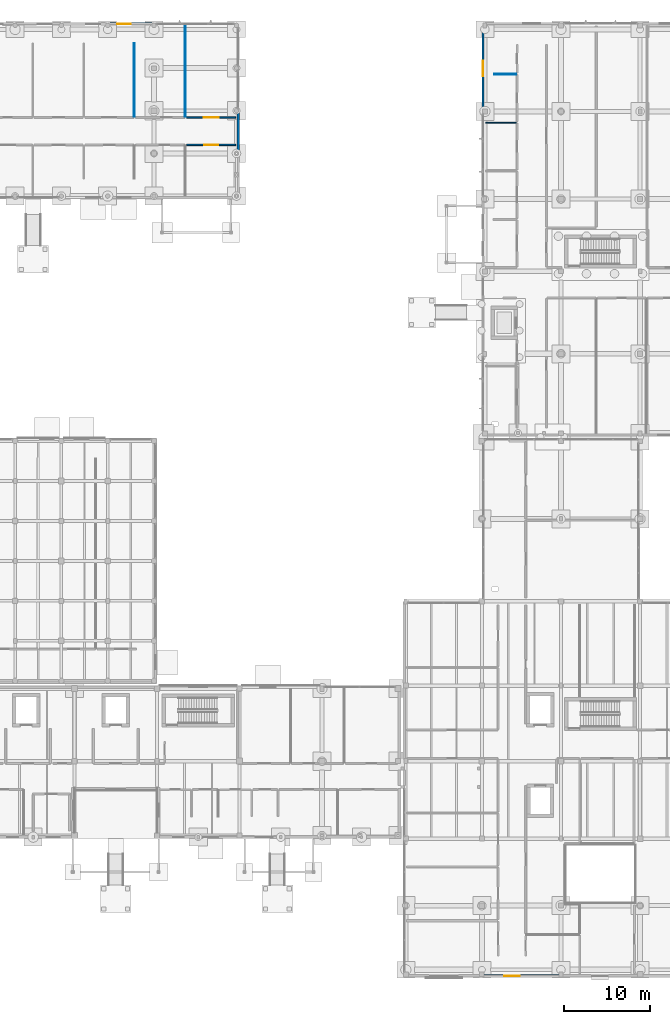
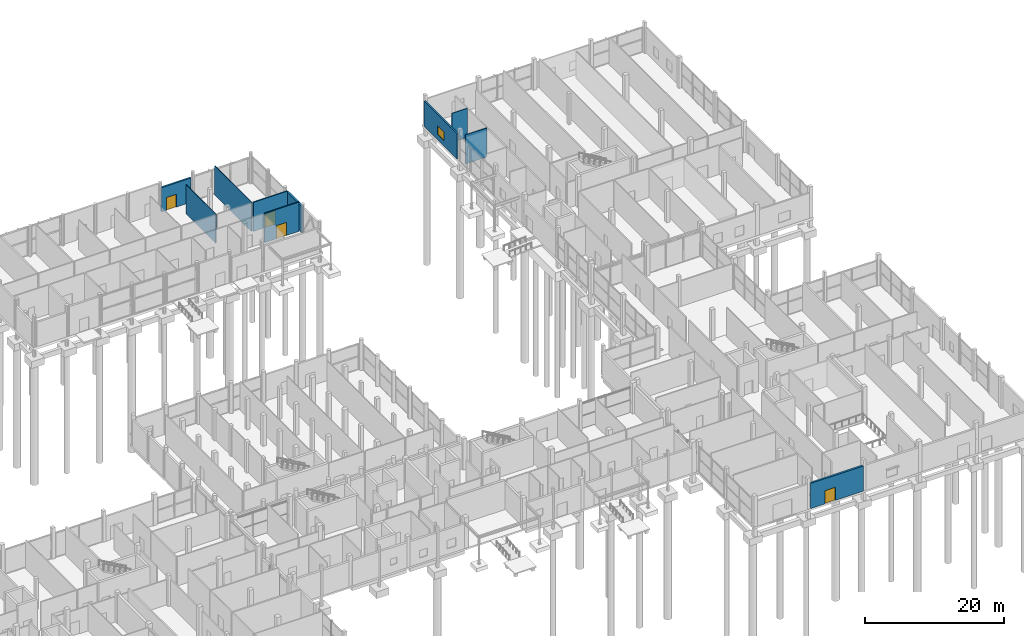
# One storey, part 66 of 88: 10 walls, 4 doors, 1 window, 5 openings.
"""IFC4 building model written with IfcOpenShell, lengths in metres."""

import ifcopenshell
import ifcopenshell.guid

model = None  # the IFC model being written
_history = None  # IfcOwnerHistory: only IFC2X3 demands one
_inside = {}  # id of a spatial element -> (the spatial element, [elements in it])
_under = {}  # id of a project, library or spatial element -> (it, [spatial elements below it])
_declared = {}  # id of a project -> (the project, [libraries it declares])
_typed = {}  # id of a type object -> (the type object, [elements of that type])
_made_of = {}  # id of a material, layer set ... -> (it, [elements and type objects made of it])


def new_model(schema):
    """Start an empty IFC model of exactly this schema.

    Asked for "IFC4X3", IfcOpenShell would pick the latest addendum, in which some entities
    have other attributes; the version numbers below select the first issue.
    IFC2X3 requires an IfcOwnerHistory on every rooted entity: one is made here for all.
    """
    global model, _history
    if schema == "IFC4X3":
        model = ifcopenshell.file(schema_version=(4, 3, 0, 0))
    else:
        model = ifcopenshell.file(schema=schema)
    _inside.clear()
    _under.clear()
    _declared.clear()
    _typed.clear()
    _made_of.clear()
    _history = None
    if model.schema == "IFC2X3":
        org = make("IfcOrganization", Name="unknown")
        user = make(
            "IfcPersonAndOrganization",
            ThePerson=make("IfcPerson", FamilyName="unknown"),
            TheOrganization=org,
        )
        app = make(
            "IfcApplication",
            ApplicationDeveloper=org,
            Version="unknown",
            ApplicationFullName="unknown",
            ApplicationIdentifier="unknown",
        )
        _history = make(
            "IfcOwnerHistory",
            OwningUser=user,
            OwningApplication=app,
            ChangeAction="ADDED",
            CreationDate=0,
        )
    return model


def make(cls, **values):
    """One entity of the class cls with the attributes given. An attribute that is None is left unset."""
    return model.create_entity(
        cls, **{name: value for name, value in values.items() if value is not None}
    )


def rooted(cls, **values):
    """An entity with a GlobalId (a new one), such as an element, a storey or a relation."""
    return make(cls, GlobalId=ifcopenshell.guid.new(), OwnerHistory=_history, **values)


def si_unit(unit_type, name, prefix=None):
    """IfcSIUnit, for example si_unit("LENGTHUNIT", "METRE", prefix="MILLI")."""
    return make("IfcSIUnit", UnitType=unit_type, Prefix=prefix, Name=name)


def assignment(units):
    """IfcUnitAssignment: the units of a project."""
    return None if units is None else make("IfcUnitAssignment", Units=units)


def point(xyz):
    """IfcCartesianPoint."""
    return None if xyz is None else make("IfcCartesianPoint", Coordinates=xyz)


def direction(xyz):
    """IfcDirection."""
    return None if xyz is None else make("IfcDirection", DirectionRatios=xyz)


def frame(location, z_axis=None, x_axis=None):
    """IfcAxis2Placement3D, a coordinate frame: its origin and axes. An axis left out is left unset."""
    return make(
        "IfcAxis2Placement3D",
        Location=point(location),
        Axis=direction(z_axis),
        RefDirection=direction(x_axis),
    )


def frame_2d(location, x_axis=None):
    """IfcAxis2Placement2D, a coordinate frame in the plane: its origin and x axis."""
    return make(
        "IfcAxis2Placement2D", Location=point(location), RefDirection=direction(x_axis)
    )


def origin():
    """The frame at (0, 0, 0) with its axes left unset."""
    return frame((0.0, 0.0, 0.0))


def place(relative_to, where):
    """IfcLocalPlacement: puts the frame where relative to a parent placement (None: the world)."""
    return make(
        "IfcLocalPlacement", PlacementRelTo=relative_to, RelativePlacement=where
    )


def context(
    kind, dimensions, precision=None, world=None, true_north=None, identifier=None
):
    """IfcGeometricRepresentationContext, for example the 3D "Model" context."""
    return make(
        "IfcGeometricRepresentationContext",
        ContextIdentifier=identifier,
        ContextType=kind,
        CoordinateSpaceDimension=dimensions,
        Precision=precision,
        WorldCoordinateSystem=world,
        TrueNorth=true_north,
    )


def subcontext(parent, identifier, kind, view, scale=None):
    """IfcGeometricRepresentationSubContext, for example "Body" below "Model"."""
    return make(
        "IfcGeometricRepresentationSubContext",
        ContextIdentifier=identifier,
        ContextType=kind,
        ParentContext=parent,
        TargetScale=scale,
        TargetView=view,
    )


def project(units=None, contexts=None):
    """IfcProject with its units and contexts."""
    return rooted(
        "IfcProject",
        Name="project",
        RepresentationContexts=contexts,
        UnitsInContext=assignment(units),
    )


def spatial(cls, under=None, at=None, **own):
    """A site, building, storey or space (cls), placed at a placement, below another one or the project."""
    s = rooted(cls, ObjectPlacement=at, **own)
    if under is not None:
        _under.setdefault(under.id(), (under, []))[1].append(s)
    return s


def profile(cls, at=None, kind="AREA", **sizes):
    """A parametric profile (cls). Its sizes go by their IFC names, for example OverallWidth=200.0."""
    return make(cls, ProfileType=kind, Position=at, **sizes)


def rectangle(**sizes):
    """IfcRectangleProfileDef."""
    return profile("IfcRectangleProfileDef", **sizes)


def extrude(swept, where, along, depth):
    """IfcExtrudedAreaSolid: the profile swept, set in the frame where, extruded along a direction by depth."""
    return make(
        "IfcExtrudedAreaSolid",
        SweptArea=swept,
        Position=where,
        ExtrudedDirection=direction(along),
        Depth=depth,
    )


def shape(context_of_items, identifier, shape_type, items):
    """IfcShapeRepresentation: the items that make up one representation, for example the "Body"."""
    return make(
        "IfcShapeRepresentation",
        ContextOfItems=context_of_items,
        RepresentationIdentifier=identifier,
        RepresentationType=shape_type,
        Items=items,
    )


def material(Name=None, Category=None):
    """IfcMaterial."""
    return make("IfcMaterial", Name=Name, Category=Category)


def layer(
    of_material, thickness, ventilated=None, Name=None, Category=None, Priority=None
):
    """IfcMaterialLayer: one layer of a wall or slab, of a material (None: an air gap)."""
    return make(
        "IfcMaterialLayer",
        Material=of_material,
        LayerThickness=thickness,
        IsVentilated=ventilated,
        Name=Name,
        Category=Category,
        Priority=Priority,
    )


def layer_set(layers, Name=None):
    """IfcMaterialLayerSet."""
    return make("IfcMaterialLayerSet", MaterialLayers=layers, LayerSetName=Name)


def made_of(thing, what):
    """Note that an element or type object is made of a material, layer set ...; save() writes the relation."""
    if what is not None:
        _made_of.setdefault(what.id(), (what, []))[1].append(thing)
    return thing


def type_object(cls, material=None, **own):
    """A type object (cls), such as IfcWallType, which elements share."""
    return made_of(rooted(cls, **own), material)


def element(
    cls,
    number,
    at=None,
    inside=None,
    cuts=None,
    type_object=None,
    material=None,
    context=None,
    identifier="Body",
    shape_type=None,
    held_by="IfcProductDefinitionShape",
    body=None,
    shapes=None,
    **own,
):
    """One element of the class cls, such as IfcWall. Its Tag is "e" and its number.

    at: its placement. inside: the storey or other place that contains it. cuts: it is an
    opening in that element (IfcRelVoidsElement). A single representation is given by context,
    identifier, shape_type and body (its items); several are given by shapes. held_by: the class
    of the entity that holds the representations. save() writes the other relations.
    """
    e = rooted(cls, Tag="e%d" % number, ObjectPlacement=at, **own)
    if body is not None:
        shapes = [shape(context, identifier, shape_type, body)]
    if shapes is not None:
        e.Representation = make(held_by, Representations=shapes)
    if inside is not None:
        _inside.setdefault(inside.id(), (inside, []))[1].append(e)
    if cuts is not None:
        rooted(
            "IfcRelVoidsElement", RelatingBuildingElement=cuts, RelatedOpeningElement=e
        )
    if type_object is not None:
        _typed.setdefault(type_object.id(), (type_object, []))[1].append(e)
    return made_of(e, material)


def fill(opening, filler):
    """IfcRelFillsElement: the door or window that sits in an opening."""
    return rooted(
        "IfcRelFillsElement",
        RelatingOpeningElement=opening,
        RelatedBuildingElement=filler,
    )


def aggregate(whole, parts):
    """IfcRelAggregates: a whole, such as a stair, and the parts it consists of."""
    return rooted("IfcRelAggregates", RelatingObject=whole, RelatedObjects=parts)


def save(model, path):
    """Write the relations noted so far, then the file.

    IfcRelAggregates (storeys below a building ...), IfcRelContainedInSpatialStructure (elements
    in a storey), IfcRelDefinesByType, IfcRelAssociatesMaterial and IfcRelDeclares: one each for
    every whole, place, type object, material and project.
    """
    for whole, parts in _under.values():
        aggregate(whole, parts)
    for where, things in _inside.values():
        rooted(
            "IfcRelContainedInSpatialStructure",
            RelatedElements=things,
            RelatingStructure=where,
        )
    for kind, things in _typed.values():
        rooted("IfcRelDefinesByType", RelatedObjects=things, RelatingType=kind)
    for what, things in _made_of.values():
        rooted("IfcRelAssociatesMaterial", RelatedObjects=things, RelatingMaterial=what)
    for by, libraries in _declared.values():
        rooted("IfcRelDeclares", RelatingContext=by, RelatedDefinitions=libraries)
    model.write(path)


model = new_model("IFC4")

# Units and contexts
model_context = context("Model", 3, precision=1e-05, world=origin(), true_north=direction((0.0, 1.0)))
body_context = subcontext(model_context, "Body", "Model", "MODEL_VIEW")
ifc_project = project(units=[si_unit("LENGTHUNIT", "METRE"), si_unit("AREAUNIT", "SQUARE_METRE"), si_unit("VOLUMEUNIT", "CUBIC_METRE"), si_unit("PLANEANGLEUNIT", "RADIAN"), si_unit("MASSUNIT", "GRAM", prefix="KILO")], contexts=[model_context])

# Site, building, storey
site_placement = place(None, origin())
site = spatial("IfcSite", under=ifc_project, at=site_placement, CompositionType="ELEMENT")
building_placement = place(site_placement, origin())
building = spatial("IfcBuilding", under=site, at=building_placement, Name="Birchvale Park Specialist Clinic", CompositionType="ELEMENT")
storey_placement = place(building_placement, origin())
storey = spatial("IfcBuildingStorey", under=building, at=storey_placement, Name="L00", CompositionType="ELEMENT", Elevation=0.0)

# Wall, opening, door
ifc_material_1 = material(Name="Lime-white mineral-rendered insulated masonry", Category="masonry")
ifc_layer_1 = layer(ifc_material_1, 0.31005859375)
ifc_layer_set_1 = layer_set([ifc_layer_1], Name="Lime-white mineral-rendered insulated masonry")
wall_type_1 = type_object("IfcWallType", Name="WL-EW-02", PredefinedType="STANDARD", material=ifc_layer_set_1)
wall_1_placement = place(storey_placement, frame((128.260009765625, 0.824951171875, 0.0), z_axis=(0.0, 0.0, 1.0), x_axis=(1.0, 0.0, 0.0)))
wall_1 = element("IfcWall", 1, at=wall_1_placement, inside=storey, type_object=wall_type_1, Name="V5 L00 exterior facade wall 90", PredefinedType="STANDARD", context=body_context, shape_type="SweptSolid", body=[
    extrude(rectangle(XDim=8.735107421875, YDim=0.31005859375, at=frame_2d((4.36767578125, 0.0))), origin(), (0.0, 0.0, 1.0), 4.419921875),
])
opening_1_placement = place(wall_1_placement, frame((2.340087890625, 0.0, 0.0)))
opening_1 = element("IfcOpeningElement", 2, at=opening_1_placement, cuts=wall_1, Name="Opening ED-03", PredefinedType="OPENING", context=body_context, shape_type="SweptSolid", body=[
    extrude(rectangle(XDim=1.800048828125, YDim=2.300048828125, at=frame_2d((0.89990234375, 1.14990234375))), frame((0.0, 0.1650390625, 0.0), z_axis=(0.0, -1.0, 0.0), x_axis=(1.0, 0.0, 0.0)), (0.0, 0.0, 1.0), 0.330078125),
])
ifc_material_2 = material(Name="Powder-coated aluminium and laminated safety glass", Category="aluminium")
door_type_1 = type_object("IfcDoorType", Name="DR-ED-03", OperationType="DOUBLE_DOOR_SINGLE_SWING", PredefinedType="DOOR", material=ifc_material_2)
door_1_placement = place(opening_1_placement, frame((1.800048828125, 0.0, 0.0), z_axis=(0.0, 0.0, 1.0), x_axis=(-1.0, 0.0, 0.0)))
door_1 = element("IfcDoor", 3, at=door_1_placement, inside=storey, type_object=door_type_1, Name="L00 V5 final exit double door 26", OperationType="DOUBLE_DOOR_SINGLE_SWING", OverallHeight=2.300048828125, OverallWidth=1.800048828125, PredefinedType="DOOR", context=body_context, shape_type="SweptSolid", body=[
    extrude(rectangle(XDim=1.800048828125, YDim=2.300048828125, at=frame_2d((0.89990234375, 1.14990234375))), frame((0.0, 0.02490234375, 0.0), z_axis=(0.0, -1.0, 0.0), x_axis=(1.0, 0.0, 0.0)), (0.0, 0.0, 1.0), 0.050048828125),
])
fill(opening_1, door_1)

# Wall
ifc_layer_2 = layer(ifc_material_1, 0.2900390625)
ifc_layer_set_2 = layer_set([ifc_layer_2], Name="Lime-white mineral-rendered insulated masonry")
wall_type_2 = type_object("IfcWallType", Name="WL-EW-03", PredefinedType="STANDARD", material=ifc_layer_set_2)
wall_2_placement = place(storey_placement, frame((99.635009765625, 96.767578125, 0.0), z_axis=(0.0, 0.0, 1.0), x_axis=(0.0, 1.0, 0.0)))
element("IfcWall", 4, at=wall_2_placement, inside=storey, type_object=wall_type_2, Name="V3 L00 exterior facade wall 56", PredefinedType="STANDARD", context=body_context, shape_type="SweptSolid", body=[
    extrude(rectangle(XDim=4.452392578125, YDim=0.2900390625, at=frame_2d((2.22607421875, 0.0))), origin(), (0.0, 0.0, 1.0), 4.669921875),
])

# Wall, opening, door
wall_3_placement = place(storey_placement, frame((89.594970703125, 111.5849609375, 0.0), z_axis=(0.0, 0.0, 1.0), x_axis=(-1.0, 0.0, 0.0)))
wall_3 = element("IfcWall", 5, at=wall_3_placement, inside=storey, type_object=wall_type_2, Name="V3 L00 exterior facade wall 57", PredefinedType="STANDARD", context=body_context, shape_type="SweptSolid", body=[
    extrude(rectangle(XDim=4.875732421875, YDim=0.2900390625, at=frame_2d((2.43798828125, 0.0))), origin(), (0.0, 0.0, 1.0), 4.264892578125),
])
opening_2_placement = place(wall_3_placement, frame((2.44287109375, 0.0, 0.0)))
opening_2 = element("IfcOpeningElement", 6, at=opening_2_placement, cuts=wall_3, Name="Opening ED-04", PredefinedType="OPENING", context=body_context, shape_type="SweptSolid", body=[
    extrude(rectangle(XDim=1.60009765625, YDim=2.25, at=frame_2d((0.800048828125, 1.125))), frame((0.0, 0.155029296875, 0.0), z_axis=(0.0, -1.0, 0.0), x_axis=(1.0, 0.0, 0.0)), (0.0, 0.0, 1.0), 0.31005859375),
])
door_type_2 = type_object("IfcDoorType", Name="DR-ED-04", OperationType="DOUBLE_DOOR_SINGLE_SWING", PredefinedType="DOOR", material=ifc_material_2)
door_2_placement = place(opening_2_placement, frame((1.60009765625, 0.0, 0.0), z_axis=(0.0, 0.0, 1.0), x_axis=(-1.0, 0.0, 0.0)))
door_2 = element("IfcDoor", 7, at=door_2_placement, inside=storey, type_object=door_type_2, Name="L00 V3 final exit double door 17", OperationType="DOUBLE_DOOR_SINGLE_SWING", OverallHeight=2.25, OverallWidth=1.60009765625, PredefinedType="DOOR", context=body_context, shape_type="SweptSolid", body=[
    extrude(rectangle(XDim=1.60009765625, YDim=2.25, at=frame_2d((0.800048828125, 1.125))), frame((0.0, 0.02490234375, 0.0), z_axis=(0.0, -1.0, 0.0), x_axis=(1.0, 0.0, 0.0)), (0.0, 0.0, 1.0), 0.050048828125),
])
fill(opening_2, door_2)

# Wall, opening, window
ifc_layer_3 = layer(ifc_material_1, 0.25)
ifc_layer_set_3 = layer_set([ifc_layer_3], Name="Lime-white mineral-rendered insulated masonry")
wall_type_3 = type_object("IfcWallType", Name="WL-EW-05", PredefinedType="STANDARD", material=ifc_layer_set_3)
wall_4_placement = place(storey_placement, frame((128.14501953125, 111.114990234375, 0.0), z_axis=(0.0, 0.0, 1.0), x_axis=(0.0, -1.0, 0.0)))
wall_4 = element("IfcWall", 8, at=wall_4_placement, inside=storey, type_object=wall_type_3, Name="V6 L00 exterior facade wall 111", PredefinedType="STANDARD", context=body_context, shape_type="SweptSolid", body=[
    extrude(rectangle(XDim=9.429931640625, YDim=0.25, at=frame_2d((4.71484375, 0.0))), origin(), (0.0, 0.0, 1.0), 4.469970703125),
])
opening_3_placement = place(wall_4_placement, frame((3.81494140625, 0.0, 0.949951171875)))
opening_3 = element("IfcOpeningElement", 9, at=opening_3_placement, cuts=wall_4, Name="Opening W-CL05", PredefinedType="OPENING", context=body_context, shape_type="SweptSolid", body=[
    extrude(rectangle(XDim=1.800048828125, YDim=1.5, at=frame_2d((0.89990234375, 0.75))), frame((0.0, 0.135009765625, 0.0), z_axis=(0.0, -1.0, 0.0), x_axis=(1.0, 0.0, 0.0)), (0.0, 0.0, 1.0), 0.27001953125),
])
ifc_material_3 = material(Name="Solar-control low-E double glazing", Category="glass")
window_type = type_object("IfcWindowType", Name="WIN-W-CL05", PartitioningType="SINGLE_PANEL", PredefinedType="WINDOW", material=ifc_material_3)
window_placement = place(opening_3_placement, origin())
window = element("IfcWindow", 10, at=window_placement, inside=storey, type_object=window_type, Name="V6 L00 cased window 22", OverallHeight=1.5, OverallWidth=1.800048828125, PartitioningType="SINGLE_PANEL", PredefinedType="WINDOW", context=body_context, shape_type="SweptSolid", body=[
    extrude(rectangle(XDim=1.800048828125, YDim=1.5, at=frame_2d((0.89990234375, 0.75))), frame((0.0, 0.030029296875, 0.0), z_axis=(0.0, -1.0, 0.0), x_axis=(1.0, 0.0, 0.0)), (0.0, 0.0, 1.0), 0.06005859375),
])
fill(opening_3, window)

# Walls
ifc_material_4 = material(Name="Acoustic gypsum board on metal framing")
ifc_layer_4 = layer(ifc_material_4, 0.125)
ifc_layer_set_4 = layer_set([ifc_layer_4], Name="Acoustic gypsum board on metal framing")
wall_type_4 = type_object("IfcWallType", Name="WL-IW-04", PredefinedType="PARTITIONING", material=ifc_layer_set_4)
wall_5_placement = place(storey_placement, frame((128.43994140625, 100.093994140625, 0.0), z_axis=(0.0, 0.0, 1.0), x_axis=(1.0, 0.0, 0.0)))
element("IfcWall", 11, at=wall_5_placement, inside=storey, type_object=wall_type_4, Name="V6 L00 clinical partition 269", PredefinedType="PARTITIONING", context=body_context, shape_type="SweptSolid", body=[
    extrude(rectangle(XDim=3.580078125, YDim=0.125, at=frame_2d((1.7900390625, 0.0))), origin(), (0.0, 0.0, 1.0), 5.10009765625),
])
ifc_layer_5 = layer(ifc_material_4, 0.114990234375)
ifc_layer_set_5 = layer_set([ifc_layer_5], Name="Acoustic gypsum board on metal framing")
wall_type_5 = type_object("IfcWallType", Name="WL-IW-05", PredefinedType="PARTITIONING", material=ifc_layer_set_5)
wall_6_placement = place(storey_placement, frame((87.580078125, 109.35498046875, 0.0), z_axis=(0.0, 0.0, 1.0), x_axis=(0.0, -1.0, 0.0)))
element("IfcWall", 12, at=wall_6_placement, inside=storey, type_object=wall_type_5, Name="V3 L00 clinical partition 170", PredefinedType="PARTITIONING", context=body_context, shape_type="SweptSolid", body=[
    extrude(rectangle(XDim=8.574951171875, YDim=0.114990234375, at=frame_2d((4.28759765625, 0.0))), origin(), (0.0, 0.0, 1.0), 5.125),
])
wall_7_placement = place(storey_placement, frame((129.445068359375, 105.721923828125, 0.0), z_axis=(0.0, 0.0, 1.0), x_axis=(1.0, 0.0, 0.0)))
element("IfcWall", 13, at=wall_7_placement, inside=storey, type_object=wall_type_5, Name="V6 L00 clinical partition 271", PredefinedType="PARTITIONING", context=body_context, shape_type="SweptSolid", body=[
    extrude(rectangle(XDim=2.574951171875, YDim=0.114990234375, at=frame_2d((1.28759765625, 0.0))), origin(), (0.0, 0.0, 1.0), 5.10009765625),
])
ifc_layer_6 = layer(ifc_material_4, 0.10009765625)
ifc_layer_set_6 = layer_set([ifc_layer_6], Name="Acoustic gypsum board on metal framing")
wall_type_6 = type_object("IfcWallType", Name="WL-IW-06", PredefinedType="PARTITIONING", material=ifc_layer_set_6)
wall_8_placement = place(storey_placement, frame((93.489990234375, 111.31005859375, 0.0), z_axis=(0.0, 0.0, 1.0), x_axis=(0.0, -1.0, 0.0)))
element("IfcWall", 14, at=wall_8_placement, inside=storey, type_object=wall_type_6, Name="V3 L00 clinical partition 172", PredefinedType="PARTITIONING", context=body_context, shape_type="SweptSolid", body=[
    extrude(rectangle(XDim=10.530029296875, YDim=0.10009765625, at=frame_2d((5.26513671875, 0.0))), origin(), (0.0, 0.0, 1.0), 5.125),
])

# Wall, opening, door
ifc_layer_7 = layer(ifc_material_4, 0.179931640625)
ifc_layer_set_7 = layer_set([ifc_layer_7], Name="Acoustic gypsum board on metal framing")
wall_type_7 = type_object("IfcWallType", Name="WL-IW-60", PredefinedType="PARTITIONING", material=ifc_layer_set_7)
wall_9_placement = place(storey_placement, frame((93.64990234375, 97.5, 0.0), z_axis=(0.0, 0.0, 1.0), x_axis=(1.0, 0.0, 0.0)))
wall_9 = element("IfcWall", 15, at=wall_9_placement, inside=storey, type_object=wall_type_7, Name="V3 L00 clinical partition 158", PredefinedType="PARTITIONING", context=body_context, shape_type="SweptSolid", body=[
    extrude(rectangle(XDim=5.710205078125, YDim=0.179931640625, at=frame_2d((2.85498046875, 0.0))), origin(), (0.0, 0.0, 1.0), 5.125),
])
opening_4_placement = place(wall_9_placement, frame((2.030029296875, 0.0, 0.0)))
opening_4 = element("IfcOpeningElement", 16, at=opening_4_placement, cuts=wall_9, Name="Opening ID-08", PredefinedType="OPENING", context=body_context, shape_type="SweptSolid", body=[
    extrude(rectangle(XDim=1.64990234375, YDim=2.300048828125, at=frame_2d((0.824951171875, 1.14990234375))), frame((0.0, 0.10009765625, 0.0), z_axis=(0.0, -1.0, 0.0), x_axis=(1.0, 0.0, 0.0)), (0.0, 0.0, 1.0), 0.199951171875),
])
ifc_material_5 = material(Name="Solid-core birch veneer and anodised aluminium", Category="aluminium")
door_type_3 = type_object("IfcDoorType", Name="DR-ID-08", OperationType="DOUBLE_DOOR_SINGLE_SWING", PredefinedType="DOOR", material=ifc_material_5)
door_3_placement = place(opening_4_placement, origin())
door_3 = element("IfcDoor", 17, at=door_3_placement, inside=storey, type_object=door_type_3, Name="L00 Winter Conservatory Hall door", OperationType="DOUBLE_DOOR_SINGLE_SWING", OverallHeight=2.300048828125, OverallWidth=1.64990234375, PredefinedType="DOOR", context=body_context, shape_type="SweptSolid", body=[
    extrude(rectangle(XDim=1.64990234375, YDim=2.300048828125, at=frame_2d((0.824951171875, 1.14990234375))), frame((0.0, 0.02490234375, 0.0), z_axis=(0.0, -1.0, 0.0), x_axis=(1.0, 0.0, 0.0)), (0.0, 0.0, 1.0), 0.050048828125),
])
fill(opening_4, door_3)

wall_10_placement = place(storey_placement, frame((99.360107421875, 100.699951171875, 0.0), z_axis=(0.0, 0.0, 1.0), x_axis=(-1.0, 0.0, 0.0)))
wall_10 = element("IfcWall", 18, at=wall_10_placement, inside=storey, type_object=wall_type_7, Name="V3 L00 clinical partition 173", PredefinedType="PARTITIONING", context=body_context, shape_type="SweptSolid", body=[
    extrude(rectangle(XDim=5.710205078125, YDim=0.179931640625, at=frame_2d((2.85498046875, 0.0))), origin(), (0.0, 0.0, 1.0), 5.125),
])
opening_5_placement = place(wall_10_placement, frame((1.97998046875, 0.0, 0.0)))
opening_5 = element("IfcOpeningElement", 19, at=opening_5_placement, cuts=wall_10, Name="Opening ID-09", PredefinedType="OPENING", context=body_context, shape_type="SweptSolid", body=[
    extrude(rectangle(XDim=1.75, YDim=2.35009765625, at=frame_2d((0.875, 1.175048828125))), frame((0.0, 0.10009765625, 0.0), z_axis=(0.0, -1.0, 0.0), x_axis=(1.0, 0.0, 0.0)), (0.0, 0.0, 1.0), 0.199951171875),
])
door_type_4 = type_object("IfcDoorType", Name="DR-ID-09", OperationType="DOUBLE_DOOR_SINGLE_SWING", PredefinedType="DOOR", material=ifc_material_5)
door_4_placement = place(opening_5_placement, origin())
door_4 = element("IfcDoor", 20, at=door_4_placement, inside=storey, type_object=door_type_4, Name="L00 Community Health Room door", OperationType="DOUBLE_DOOR_SINGLE_SWING", OverallHeight=2.35009765625, OverallWidth=1.75, PredefinedType="DOOR", context=body_context, shape_type="SweptSolid", body=[
    extrude(rectangle(XDim=1.75, YDim=2.35009765625, at=frame_2d((0.875, 1.175048828125))), frame((0.0, 0.02490234375, 0.0), z_axis=(0.0, -1.0, 0.0), x_axis=(1.0, 0.0, 0.0)), (0.0, 0.0, 1.0), 0.050048828125),
])
fill(opening_5, door_4)

save(model, "model.ifc")
